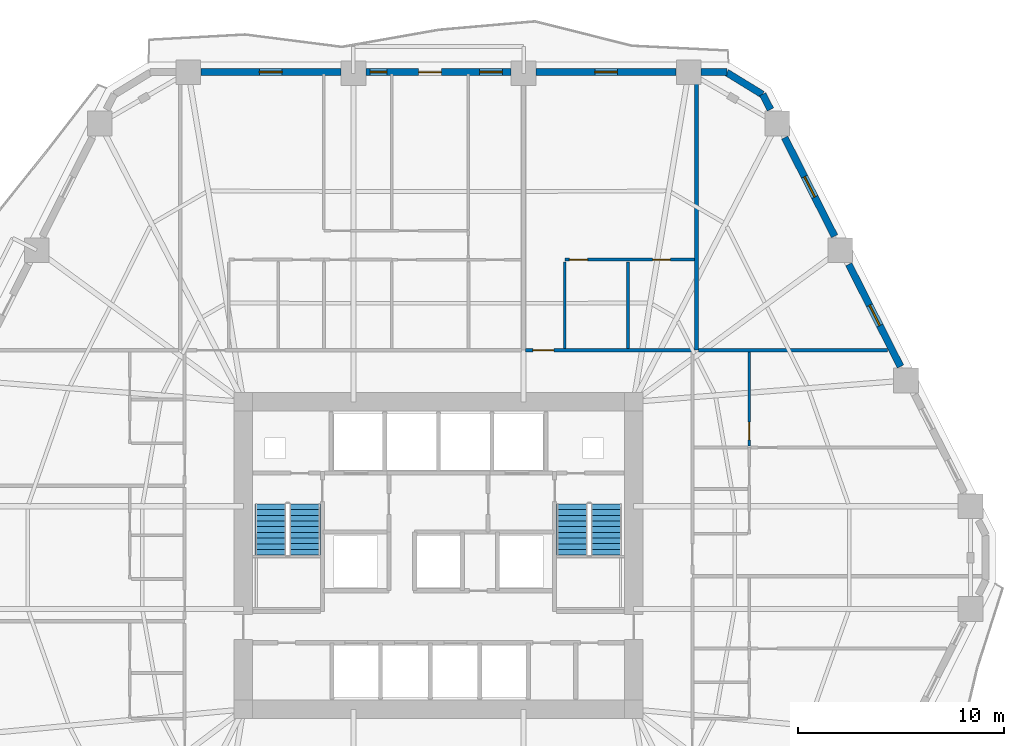
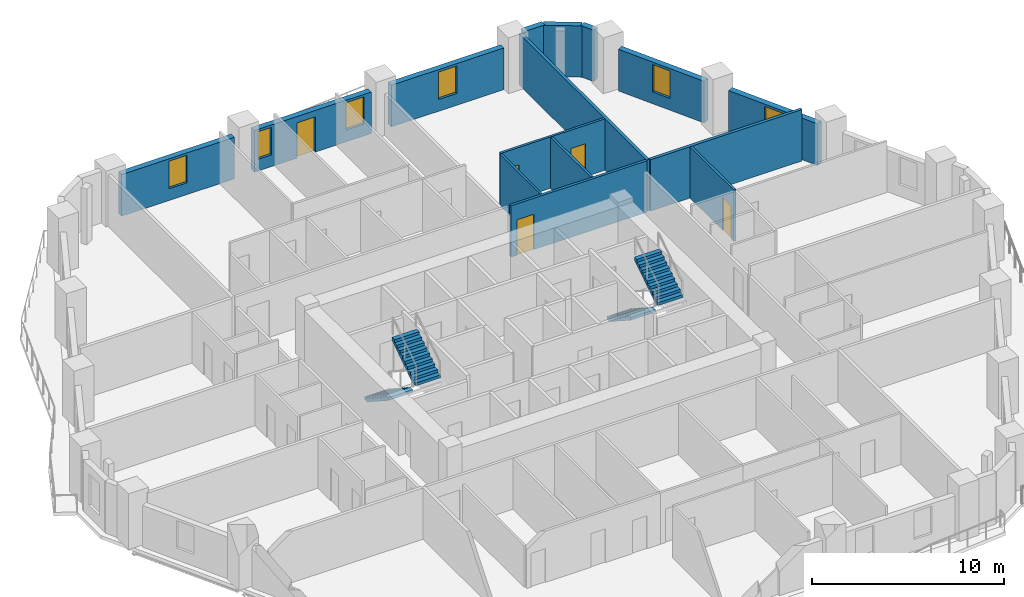
# One storey, part 8 of 12: 15 walls, 6 windows, 5 doors, 4 stair flights, 11 openings, 2 elements without a shape of their own.
"""IFC4 building model written with IfcOpenShell, lengths in metres."""

from ifc_helpers import new_model, si_unit, direction, frame, frame_2d, origin, place, context, subcontext, project, spatial, polyline, rectangle, outline, extrude, material, layer, layer_set, type_object, element, fill, aggregate, save


model = new_model("IFC4")

# Units and contexts
model_context = context("Model", 3, precision=1e-05, world=origin(), true_north=direction((0.0, 1.0)))
body_context = subcontext(model_context, "Body", "Model", "MODEL_VIEW")
ifc_project = project(units=[si_unit("LENGTHUNIT", "METRE"), si_unit("AREAUNIT", "SQUARE_METRE"), si_unit("VOLUMEUNIT", "CUBIC_METRE"), si_unit("PLANEANGLEUNIT", "RADIAN"), si_unit("MASSUNIT", "GRAM", prefix="KILO")], contexts=[model_context])

# Site, building, storey
site_placement = place(None, origin())
site = spatial("IfcSite", under=ifc_project, at=site_placement, CompositionType="ELEMENT")
building_placement = place(site_placement, origin())
building = spatial("IfcBuilding", under=site, at=building_placement, Name="Cinnabar Lancet Tower", CompositionType="ELEMENT")
storey_placement = place(building_placement, frame((0.0, 0.0, 71.050048828125)))
storey = spatial("IfcBuildingStorey", under=building, at=storey_placement, Name="L18", CompositionType="ELEMENT", Elevation=71.050048828125)

# Wall, opening, door
ifc_material_1 = material(Name="Acoustic twin-stud gypsum partition", Category="gypsum")
ifc_layer_1 = layer(ifc_material_1, 0.159912109375)
ifc_layer_set_1 = layer_set([ifc_layer_1], Name="Acoustic twin-stud gypsum partition")
wall_type_1 = type_object("IfcWallType", Name="ARC-WL-CORR-160", PredefinedType="PARTITIONING", material=ifc_layer_set_1)
wall_1_placement = place(storey_placement, frame((36.616943359375, 35.85009765625, 0.0), z_axis=(0.0, 0.0, 1.0), x_axis=(1.0, 0.0, 0.0)))
wall_1 = element("IfcWall", 1, at=wall_1_placement, inside=storey, type_object=wall_type_1, Name="L18 Unit N02 Corridor Wall", PredefinedType="PARTITIONING", context=body_context, shape_type="SweptSolid", body=[
    extrude(rectangle(XDim=8.18798828125, YDim=0.159912109375, at=frame_2d((4.093994140625, 0.0))), origin(), (0.0, 0.0, 1.0), 3.27001953125),
])
opening_1_placement = place(wall_1_placement, frame((0.35498046875, 0.0, 0.0)))
opening_1 = element("IfcOpeningElement", 2, at=opening_1_placement, cuts=wall_1, Name="Opening UD-01", PredefinedType="OPENING", context=body_context, shape_type="SweptSolid", body=[
    extrude(rectangle(XDim=1.02001953125, YDim=2.25, at=frame_2d((0.510009765625, 1.125))), frame((0.0, 0.08984375, 0.0), z_axis=(0.0, -1.0, 0.0), x_axis=(1.0, 0.0, 0.0)), (0.0, 0.0, 1.0), 0.179931640625),
])
ifc_material_2 = material(Name="Solid timber fire-rated apartment entrance door", Category="wood")
door_type_1 = type_object("IfcDoorType", Name="ARC-DR-UNIT", OperationType="NOTDEFINED", PredefinedType="DOOR", material=ifc_material_2)
door_1_placement = place(opening_1_placement, origin())
door_1 = element("IfcDoor", 3, at=door_1_placement, inside=storey, type_object=door_type_1, Name="DR-L18-N02-ENT", OperationType="SINGLE_SWING_LEFT", OverallHeight=2.25, OverallWidth=1.02001953125, PredefinedType="DOOR", context=body_context, shape_type="SweptSolid", body=[
    extrude(rectangle(XDim=1.02001953125, YDim=2.25, at=frame_2d((0.510009765625, 1.125))), frame((0.0, 0.02490234375, 0.0), z_axis=(0.0, -1.0, 0.0), x_axis=(1.0, 0.0, 0.0)), (0.0, 0.0, 1.0), 0.050048828125),
])
fill(opening_1, door_1)

# Walls
ifc_material_3 = material(Name="Fire-rated twin-frame acoustic drywall", Category="gypsum")
ifc_layer_2 = layer(ifc_material_3, 0.179931640625)
ifc_layer_set_2 = layer_set([ifc_layer_2], Name="Fire-rated twin-frame acoustic drywall")
wall_type_2 = type_object("IfcWallType", Name="ARC-WL-PARTY-180", PredefinedType="PARTITIONING", material=ifc_layer_set_2)
wall_2_placement = place(storey_placement, frame((44.89990234375, 35.85009765625, 0.0), z_axis=(0.0, 0.0, 1.0), x_axis=(0.0, 1.0, 0.0)))
element("IfcWall", 4, at=wall_2_placement, inside=storey, type_object=wall_type_2, Name="PW-L18-NPTY-449", PredefinedType="PARTITIONING", context=body_context, shape_type="SweptSolid", body=[
    extrude(rectangle(XDim=13.294921875, YDim=0.179931640625, at=frame_2d((6.6474609375, 0.0))), origin(), (0.0, 0.0, 1.0), 3.27001953125),
])
wall_3_placement = place(storey_placement, frame((44.9951171875, 35.85009765625, 0.0), z_axis=(0.0, 0.0, 1.0), x_axis=(1.0, 0.0, 0.0)))
element("IfcWall", 5, at=wall_3_placement, inside=storey, type_object=wall_type_2, Name="PW-L18-ENB", PredefinedType="PARTITIONING", context=body_context, shape_type="SweptSolid", body=[
    extrude(rectangle(XDim=9.139892578125, YDim=0.179931640625, at=frame_2d((4.56982421875, 0.0))), origin(), (0.0, 0.0, 1.0), 3.27001953125),
])
ifc_material_4 = material(Name="Gypsum plasterboard stud partition", Category="gypsum")
ifc_layer_3 = layer(ifc_material_4, 0.125)
ifc_layer_set_3 = layer_set([ifc_layer_3], Name="Gypsum plasterboard stud partition")
wall_type_3 = type_object("IfcWallType", Name="ARC-WL-UNIT-125", PredefinedType="PARTITIONING", material=ifc_layer_set_3)
wall_4_placement = place(storey_placement, frame((38.52197265625, 35.93505859375, 0.0), z_axis=(0.0, 0.0, 1.0), x_axis=(0.0, 1.0, 0.0)))
element("IfcWall", 6, at=wall_4_placement, inside=storey, type_object=wall_type_3, Name="UW-L18-N02-FOYE", PredefinedType="PARTITIONING", context=body_context, shape_type="SweptSolid", body=[
    extrude(rectangle(XDim=4.197021484375, YDim=0.125, at=frame_2d((2.0986328125, 0.0))), origin(), (0.0, 0.0, 1.0), 3.27001953125),
])

# Wall, openings, doors
ifc_material_5 = material(Name="Moisture-resistant cement-board plumbing wall", Category="masonry")
ifc_layer_4 = layer(ifc_material_5, 0.139892578125)
ifc_layer_set_4 = layer_set([ifc_layer_4], Name="Moisture-resistant cement-board plumbing wall")
wall_type_4 = type_object("IfcWallType", Name="ARC-WL-WET-140", PredefinedType="PLUMBINGWALL", material=ifc_layer_set_4)
wall_5_placement = place(storey_placement, frame((38.52197265625, 40.237060546875, 0.0), z_axis=(0.0, 0.0, 1.0), x_axis=(1.0, 0.0, 0.0)))
wall_5 = element("IfcWall", 7, at=wall_5_placement, inside=storey, type_object=wall_type_4, Name="UW-L18-N02-SPL", PredefinedType="PLUMBINGWALL", context=body_context, shape_type="SweptSolid", body=[
    extrude(rectangle(XDim=6.282958984375, YDim=0.139892578125, at=frame_2d((3.1416015625, 0.0))), origin(), (0.0, 0.0, 1.0), 3.27001953125),
])
opening_2_placement = place(wall_5_placement, frame((4.2470703125, 0.0, 0.0)))
opening_2 = element("IfcOpeningElement", 8, at=opening_2_placement, cuts=wall_5, Name="Opening BD-01", PredefinedType="OPENING", context=body_context, shape_type="SweptSolid", body=[
    extrude(rectangle(XDim=0.860107421875, YDim=2.10009765625, at=frame_2d((0.43017578125, 1.050048828125))), frame((0.0, 0.079833984375, 0.0), z_axis=(0.0, -1.0, 0.0), x_axis=(1.0, 0.0, 0.0)), (0.0, 0.0, 1.0), 0.159912109375),
])
opening_3_placement = place(wall_5_placement, frame((0.219970703125, 0.0, 0.0)))
opening_3 = element("IfcOpeningElement", 9, at=opening_3_placement, cuts=wall_5, Name="Opening RD-02", PredefinedType="OPENING", context=body_context, shape_type="SweptSolid", body=[
    extrude(rectangle(XDim=0.8798828125, YDim=2.14990234375, at=frame_2d((0.43994140625, 1.074951171875))), frame((0.0, 0.079833984375, 0.0), z_axis=(0.0, -1.0, 0.0), x_axis=(1.0, 0.0, 0.0)), (0.0, 0.0, 1.0), 0.159912109375),
])
ifc_material_6 = material(Name="Moisture-resistant timber bathroom door", Category="wood")
door_type_2 = type_object("IfcDoorType", Name="ARC-DR-BATH", OperationType="NOTDEFINED", PredefinedType="DOOR", material=ifc_material_6)
door_2_placement = place(opening_2_placement, origin())
door_2 = element("IfcDoor", 10, at=door_2_placement, inside=storey, type_object=door_type_2, Name="DR-L18-N02-BTH", OperationType="SINGLE_SWING_LEFT", OverallHeight=2.10009765625, OverallWidth=0.860107421875, PredefinedType="DOOR", context=body_context, shape_type="SweptSolid", body=[
    extrude(rectangle(XDim=0.860107421875, YDim=2.10009765625, at=frame_2d((0.43017578125, 1.050048828125))), frame((0.0, 0.02490234375, 0.0), z_axis=(0.0, -1.0, 0.0), x_axis=(1.0, 0.0, 0.0)), (0.0, 0.0, 1.0), 0.050048828125),
])
fill(opening_2, door_2)
ifc_material_7 = material(Name="Engineered timber study door", Category="wood")
door_type_3 = type_object("IfcDoorType", Name="ARC-DR-STUDY", OperationType="NOTDEFINED", PredefinedType="DOOR", material=ifc_material_7)
door_3_placement = place(opening_3_placement, origin())
door_3 = element("IfcDoor", 11, at=door_3_placement, inside=storey, type_object=door_type_3, Name="DR-L18-N02-KIT", OperationType="SINGLE_SWING_RIGHT", OverallHeight=2.14990234375, OverallWidth=0.8798828125, PredefinedType="DOOR", context=body_context, shape_type="SweptSolid", body=[
    extrude(rectangle(XDim=0.8798828125, YDim=2.14990234375, at=frame_2d((0.43994140625, 1.074951171875))), frame((0.0, 0.02490234375, 0.0), z_axis=(0.0, -1.0, 0.0), x_axis=(1.0, 0.0, 0.0)), (0.0, 0.0, 1.0), 0.050048828125),
])
fill(opening_3, door_3)

# Wall
wall_6_placement = place(storey_placement, frame((41.5830078125, 35.93505859375, 0.0), z_axis=(0.0, 0.0, 1.0), x_axis=(0.0, 1.0, 0.0)))
element("IfcWall", 12, at=wall_6_placement, inside=storey, type_object=wall_type_4, Name="UW-L18-N02-KDV", PredefinedType="PLUMBINGWALL", context=body_context, shape_type="SweptSolid", body=[
    extrude(rectangle(XDim=4.197021484375, YDim=0.139892578125, at=frame_2d((2.0986328125, 0.0))), origin(), (0.0, 0.0, 1.0), 3.27001953125),
])

# Wall, opening, door
wall_7_placement = place(storey_placement, frame((47.449951171875, 31.20703125, 0.0), z_axis=(0.0, 0.0, 1.0), x_axis=(0.0, 1.0, 0.0)))
wall_7 = element("IfcWall", 13, at=wall_7_placement, inside=storey, type_object=wall_type_4, Name="UW-L18-E02-SPM", PredefinedType="PLUMBINGWALL", context=body_context, shape_type="SweptSolid", body=[
    extrude(rectangle(XDim=4.5478515625, YDim=0.139892578125, at=frame_2d((2.27392578125, 0.0))), origin(), (0.0, 0.0, 1.0), 3.27001953125),
])
opening_4_placement = place(wall_7_placement, frame((0.300048828125, 0.0, 0.0)))
opening_4 = element("IfcOpeningElement", 14, at=opening_4_placement, cuts=wall_7, Name="Opening BD-01", PredefinedType="OPENING", context=body_context, shape_type="SweptSolid", body=[
    extrude(rectangle(XDim=0.860107421875, YDim=2.10009765625, at=frame_2d((0.43017578125, 1.050048828125))), frame((0.0, 0.079833984375, 0.0), z_axis=(0.0, -1.0, 0.0), x_axis=(1.0, 0.0, 0.0)), (0.0, 0.0, 1.0), 0.159912109375),
])
door_4_placement = place(opening_4_placement, origin())
door_4 = element("IfcDoor", 15, at=door_4_placement, inside=storey, type_object=door_type_2, Name="DR-L18-E02-ENS", OperationType="SINGLE_SWING_LEFT", OverallHeight=2.10009765625, OverallWidth=0.860107421875, PredefinedType="DOOR", context=body_context, shape_type="SweptSolid", body=[
    extrude(rectangle(XDim=0.860107421875, YDim=2.10009765625, at=frame_2d((0.43017578125, 1.050048828125))), frame((0.0, 0.02490234375, 0.0), z_axis=(0.0, -1.0, 0.0), x_axis=(1.0, 0.0, 0.0)), (0.0, 0.0, 1.0), 0.050048828125),
])
fill(opening_4, door_4)

# Wall
ifc_material_8 = material(Name="Cinnabar red clay brick", Category="masonry")
ifc_layer_5 = layer(ifc_material_8, 0.340087890625)
ifc_layer_set_5 = layer_set([ifc_layer_5], Name="Cinnabar red clay brick")
wall_type_5 = type_object("IfcWallType", Name="ENV-WL-BRK-RED-340", PredefinedType="STANDARD", material=ifc_layer_set_5)
wall_8_placement = place(storey_placement, frame((48.080078125, 48.238037109375, 0.0), z_axis=(0.0, 0.0, 1.0), x_axis=(-0.851870104345, 0.523753114857, 0.0)))
element("IfcWall", 16, at=wall_8_placement, inside=storey, type_object=wall_type_5, Name="L18 Chamfered Corner Brick Pier 4.1", PredefinedType="STANDARD", context=body_context, shape_type="SweptSolid", body=[
    extrude(rectangle(XDim=2.017822265625, YDim=0.340087890625, at=frame_2d((1.0087890625, 0.0))), origin(), (0.0, 0.0, 1.0), 3.27001953125),
])

# Wall, opening, window
wall_9_placement = place(storey_placement, frame((54.77587890625, 35.06103515625, 0.0), z_axis=(0.0, 0.0, 1.0), x_axis=(-0.451592100298, 0.892224509273, 0.0)))
wall_9 = element("IfcWall", 17, at=wall_9_placement, inside=storey, type_object=wall_type_5, Name="L18 Face 3 Masonry Bay Wall 3", PredefinedType="STANDARD", context=body_context, shape_type="SweptSolid", body=[
    extrude(rectangle(XDim=5.546875, YDim=0.340087890625, at=frame_2d((2.7734375, 0.0))), origin(), (0.0, 0.0, 1.0), 2.65185546875),
])
opening_5_placement = place(wall_9_placement, frame((2.222900390625, 0.0, 0.75)))
opening_5 = element("IfcOpeningElement", 18, at=opening_5_placement, cuts=wall_9, Name="Opening WN-04", PredefinedType="OPENING", context=body_context, shape_type="SweptSolid", body=[
    extrude(rectangle(XDim=1.10009765625, YDim=1.751953125, at=frame_2d((0.550048828125, 0.8759765625))), frame((0.0, 0.179931640625, 0.0), z_axis=(0.0, -1.0, 0.0), x_axis=(1.0, 0.0, 0.0)), (0.0, 0.0, 1.0), 0.360107421875),
])
ifc_material_9 = material(Name="Thermally broken bronze-anodized aluminium tall lancet window", Category="aluminium")
window_type = type_object("IfcWindowType", Name="ENV-WN-LANCET-1100", PartitioningType="SINGLE_PANEL", PredefinedType="WINDOW", material=ifc_material_9)
window_1_placement = place(opening_5_placement, origin())
window_1 = element("IfcWindow", 19, at=window_1_placement, inside=storey, type_object=window_type, Name="L18 Face 3 Gothic Lancet Window 3", OverallHeight=1.751953125, OverallWidth=1.10009765625, PartitioningType="SINGLE_PANEL", PredefinedType="WINDOW", context=body_context, shape_type="SweptSolid", body=[
    extrude(rectangle(XDim=1.10009765625, YDim=1.751953125, at=frame_2d((0.550048828125, 0.8759765625))), frame((0.0, 0.030029296875, 0.0), z_axis=(0.0, -1.0, 0.0), x_axis=(1.0, 0.0, 0.0)), (0.0, 0.0, 1.0), 0.06005859375),
])
fill(opening_5, window_1)

wall_10_placement = place(storey_placement, frame((51.5830078125, 41.3720703125, 0.0), z_axis=(0.0, 0.0, 1.0), x_axis=(-0.451697561555, 0.892171123095, 0.0)))
wall_10 = element("IfcWall", 20, at=wall_10_placement, inside=storey, type_object=wall_type_5, Name="L18 Face 3 Masonry Bay Wall 4", PredefinedType="STANDARD", context=body_context, shape_type="SweptSolid", body=[
    extrude(rectangle(XDim=5.350830078125, YDim=0.340087890625, at=frame_2d((2.67529296875, 0.0))), origin(), (0.0, 0.0, 1.0), 2.65185546875),
])
opening_6_placement = place(wall_10_placement, frame((2.125, 0.0, 0.75)))
opening_6 = element("IfcOpeningElement", 21, at=opening_6_placement, cuts=wall_10, Name="Opening WN-04", PredefinedType="OPENING", context=body_context, shape_type="SweptSolid", body=[
    extrude(rectangle(XDim=1.10009765625, YDim=1.751953125, at=frame_2d((0.550048828125, 0.8759765625))), frame((0.0, 0.179931640625, 0.0), z_axis=(0.0, -1.0, 0.0), x_axis=(1.0, 0.0, 0.0)), (0.0, 0.0, 1.0), 0.360107421875),
])
window_2_placement = place(opening_6_placement, origin())
window_2 = element("IfcWindow", 22, at=window_2_placement, inside=storey, type_object=window_type, Name="L18 Face 3 Gothic Lancet Window 4", OverallHeight=1.751953125, OverallWidth=1.10009765625, PartitioningType="SINGLE_PANEL", PredefinedType="WINDOW", context=body_context, shape_type="SweptSolid", body=[
    extrude(rectangle(XDim=1.10009765625, YDim=1.751953125, at=frame_2d((0.550048828125, 0.8759765625))), frame((0.0, 0.030029296875, 0.0), z_axis=(0.0, -1.0, 0.0), x_axis=(1.0, 0.0, 0.0)), (0.0, 0.0, 1.0), 0.06005859375),
])
fill(opening_6, window_2)

# Walls
wall_11_placement = place(storey_placement, frame((48.47802734375, 47.508056640625, 0.0), z_axis=(0.0, 0.0, 1.0), x_axis=(-0.451995771866, 0.892020079491, 0.0)))
element("IfcWall", 23, at=wall_11_placement, inside=storey, type_object=wall_type_5, Name="L18 Face 3 Masonry Bay Wall 5", PredefinedType="STANDARD", context=body_context, shape_type="SweptSolid", body=[
    extrude(rectangle(XDim=0.836181640625, YDim=0.340087890625, at=frame_2d((0.41796875, 0.0))), origin(), (0.0, 0.0, 1.0), 3.27001953125),
])
wall_12_placement = place(storey_placement, frame((46.365966796875, 49.320068359375, 0.0), z_axis=(0.0, 0.0, 1.0), x_axis=(-1.0, 0.0, 0.0)))
element("IfcWall", 24, at=wall_12_placement, inside=storey, type_object=wall_type_5, Name="L18 Face 4 Masonry Bay Wall 1", PredefinedType="STANDARD", context=body_context, shape_type="SweptSolid", body=[
    extrude(rectangle(XDim=1.244873046875, YDim=0.340087890625, at=frame_2d((0.62255859375, 0.0))), origin(), (0.0, 0.0, 1.0), 3.27001953125),
])

# Wall, opening, window
wall_13_placement = place(storey_placement, frame((43.9130859375, 49.320068359375, 0.0), z_axis=(0.0, 0.0, 1.0), x_axis=(-1.0, 0.0, 0.0)))
wall_13 = element("IfcWall", 25, at=wall_13_placement, inside=storey, type_object=wall_type_5, Name="L18 Face 4 Masonry Bay Wall 2", PredefinedType="STANDARD", context=body_context, shape_type="SweptSolid", body=[
    extrude(rectangle(XDim=6.787109375, YDim=0.340087890625, at=frame_2d((3.3935546875, 0.0))), origin(), (0.0, 0.0, 1.0), 2.65185546875),
])
opening_7_placement = place(wall_13_placement, frame((2.843017578125, 0.0, 0.75)))
opening_7 = element("IfcOpeningElement", 26, at=opening_7_placement, cuts=wall_13, Name="Opening WN-04", PredefinedType="OPENING", context=body_context, shape_type="SweptSolid", body=[
    extrude(rectangle(XDim=1.10009765625, YDim=1.751953125, at=frame_2d((0.550048828125, 0.8759765625))), frame((0.0, 0.179931640625, 0.0), z_axis=(0.0, -1.0, 0.0), x_axis=(1.0, 0.0, 0.0)), (0.0, 0.0, 1.0), 0.360107421875),
])
window_3_placement = place(opening_7_placement, origin())
window_3 = element("IfcWindow", 27, at=window_3_placement, inside=storey, type_object=window_type, Name="L18 Face 4 Gothic Lancet Window 2", OverallHeight=1.751953125, OverallWidth=1.10009765625, PartitioningType="SINGLE_PANEL", PredefinedType="WINDOW", context=body_context, shape_type="SweptSolid", body=[
    extrude(rectangle(XDim=1.10009765625, YDim=1.751953125, at=frame_2d((0.550048828125, 0.8759765625))), frame((0.0, 0.030029296875, 0.0), z_axis=(0.0, -1.0, 0.0), x_axis=(1.0, 0.0, 0.0)), (0.0, 0.0, 1.0), 0.06005859375),
])
fill(opening_7, window_3)

# Wall, openings, door, windows
wall_14_placement = place(storey_placement, frame((35.91796875, 49.320068359375, 0.0), z_axis=(0.0, 0.0, 1.0), x_axis=(-1.0, 0.0, 0.0)))
wall_14 = element("IfcWall", 28, at=wall_14_placement, inside=storey, type_object=wall_type_5, Name="L18 Face 4 Masonry Bay Wall 3", PredefinedType="STANDARD", context=body_context, shape_type="SweptSolid", body=[
    extrude(rectangle(XDim=7.035888671875, YDim=0.340087890625, at=frame_2d((3.51806640625, 0.0))), origin(), (0.0, 0.0, 1.0), 2.65185546875),
])
opening_8_placement = place(wall_14_placement, frame((3.3740234375, 0.0, 0.0)))
opening_8 = element("IfcOpeningElement", 29, at=opening_8_placement, cuts=wall_14, Name="Opening TD-01", PredefinedType="OPENING", context=body_context, shape_type="SweptSolid", body=[
    extrude(rectangle(XDim=1.10009765625, YDim=2.25, at=frame_2d((0.550048828125, 1.125))), frame((0.0, 0.179931640625, 0.0), z_axis=(0.0, -1.0, 0.0), x_axis=(1.0, 0.0, 0.0)), (0.0, 0.0, 1.0), 0.360107421875),
])
opening_9_placement = place(wall_14_placement, frame((0.427978515625, 0.0, 0.75)))
opening_9 = element("IfcOpeningElement", 30, at=opening_9_placement, cuts=wall_14, Name="Opening WN-04", PredefinedType="OPENING", context=body_context, shape_type="SweptSolid", body=[
    extrude(rectangle(XDim=1.10009765625, YDim=1.751953125, at=frame_2d((0.550048828125, 0.8759765625))), frame((0.0, 0.179931640625, 0.0), z_axis=(0.0, -1.0, 0.0), x_axis=(1.0, 0.0, 0.0)), (0.0, 0.0, 1.0), 0.360107421875),
])
opening_10_placement = place(wall_14_placement, frame((6.012939453125, 0.0, 0.75)))
opening_10 = element("IfcOpeningElement", 31, at=opening_10_placement, cuts=wall_14, Name="Opening WN-04", PredefinedType="OPENING", context=body_context, shape_type="SweptSolid", body=[
    extrude(rectangle(XDim=0.81298828125, YDim=1.751953125, at=frame_2d((0.406494140625, 0.8759765625))), frame((0.0, 0.179931640625, 0.0), z_axis=(0.0, -1.0, 0.0), x_axis=(1.0, 0.0, 0.0)), (0.0, 0.0, 1.0), 0.360107421875),
])
ifc_material_10 = material(Name="Thermally broken low-E glazed balcony terrace door", Category="wood")
door_type_4 = type_object("IfcDoorType", Name="ARC-DR-BALC", OperationType="NOTDEFINED", PredefinedType="DOOR", material=ifc_material_10)
door_5_placement = place(opening_8_placement, origin())
door_5 = element("IfcDoor", 32, at=door_5_placement, inside=storey, type_object=door_type_4, Name="L18 Face 4 Glazed Terrace Door", OperationType="SINGLE_SWING_LEFT", OverallHeight=2.25, OverallWidth=1.10009765625, PredefinedType="DOOR", context=body_context, shape_type="SweptSolid", body=[
    extrude(rectangle(XDim=1.10009765625, YDim=2.25, at=frame_2d((0.550048828125, 1.125))), frame((0.0, 0.02490234375, 0.0), z_axis=(0.0, -1.0, 0.0), x_axis=(1.0, 0.0, 0.0)), (0.0, 0.0, 1.0), 0.050048828125),
])
fill(opening_8, door_5)
window_4_placement = place(opening_9_placement, origin())
window_4 = element("IfcWindow", 33, at=window_4_placement, inside=storey, type_object=window_type, Name="L18 Split-Bay Gothic Lancet Window 49", OverallHeight=1.751953125, OverallWidth=1.10009765625, PartitioningType="SINGLE_PANEL", PredefinedType="WINDOW", context=body_context, shape_type="SweptSolid", body=[
    extrude(rectangle(XDim=1.10009765625, YDim=1.751953125, at=frame_2d((0.550048828125, 0.8759765625))), frame((0.0, 0.030029296875, 0.0), z_axis=(0.0, -1.0, 0.0), x_axis=(1.0, 0.0, 0.0)), (0.0, 0.0, 1.0), 0.06005859375),
])
fill(opening_9, window_4)
window_5_placement = place(opening_10_placement, origin())
window_5 = element("IfcWindow", 34, at=window_5_placement, inside=storey, type_object=window_type, Name="L18 Dwelling Gothic Lancet Window 310", OverallHeight=1.751953125, OverallWidth=0.81298828125, PartitioningType="SINGLE_PANEL", PredefinedType="WINDOW", context=body_context, shape_type="SweptSolid", body=[
    extrude(rectangle(XDim=0.81298828125, YDim=1.751953125, at=frame_2d((0.406494140625, 0.8759765625))), frame((0.0, 0.030029296875, 0.0), z_axis=(0.0, -1.0, 0.0), x_axis=(1.0, 0.0, 0.0)), (0.0, 0.0, 1.0), 0.06005859375),
])
fill(opening_10, window_5)

# Wall, opening, window
wall_15_placement = place(storey_placement, frame((27.674072265625, 49.320068359375, 0.0), z_axis=(0.0, 0.0, 1.0), x_axis=(-1.0, 0.0, 0.0)))
wall_15 = element("IfcWall", 35, at=wall_15_placement, inside=storey, type_object=wall_type_5, Name="L18 Face 4 Masonry Bay Wall 4", PredefinedType="STANDARD", context=body_context, shape_type="SweptSolid", body=[
    extrude(rectangle(XDim=6.787109375, YDim=0.340087890625, at=frame_2d((3.3935546875, 0.0))), origin(), (0.0, 0.0, 1.0), 2.65185546875),
])
opening_11_placement = place(wall_15_placement, frame((2.843017578125, 0.0, 0.75)))
opening_11 = element("IfcOpeningElement", 36, at=opening_11_placement, cuts=wall_15, Name="Opening WN-04", PredefinedType="OPENING", context=body_context, shape_type="SweptSolid", body=[
    extrude(rectangle(XDim=1.10009765625, YDim=1.751953125, at=frame_2d((0.550048828125, 0.8759765625))), frame((0.0, 0.179931640625, 0.0), z_axis=(0.0, -1.0, 0.0), x_axis=(1.0, 0.0, 0.0)), (0.0, 0.0, 1.0), 0.360107421875),
])
window_6_placement = place(opening_11_placement, origin())
window_6 = element("IfcWindow", 37, at=window_6_placement, inside=storey, type_object=window_type, Name="L18 Face 4 Gothic Lancet Window 4", OverallHeight=1.751953125, OverallWidth=1.10009765625, PartitioningType="SINGLE_PANEL", PredefinedType="WINDOW", context=body_context, shape_type="SweptSolid", body=[
    extrude(rectangle(XDim=1.10009765625, YDim=1.751953125, at=frame_2d((0.550048828125, 0.8759765625))), frame((0.0, 0.030029296875, 0.0), z_axis=(0.0, -1.0, 0.0), x_axis=(1.0, 0.0, 0.0)), (0.0, 0.0, 1.0), 0.06005859375),
])
fill(opening_11, window_6)

# Stair, stair flights
ifc_material_11 = material(Name="Concrete C40/50", Category="concrete")
stair_type = type_object("IfcStairType", Name="ST-CORE", PredefinedType="HALF_TURN_STAIR", material=ifc_material_11)
stair_1_placement = place(storey_placement, origin())
stair_1 = element("IfcStair", 38, at=stair_1_placement, inside=storey, type_object=stair_type, Name="L18 ST-1", PredefinedType="HALF_TURN_STAIR")
ifc_material_12 = material(Name="Concrete C40/50", Category="concrete")
stair_flight_type = type_object("IfcStairFlightType", Name="FLIGHT-CORE", PredefinedType="STRAIGHT", material=ifc_material_12)
stair_flight_1_placement = place(storey_placement, frame((24.27490234375, 28.39990234375, 0.0), z_axis=(0.0, 0.0, 1.0), x_axis=(0.0, -1.0, 0.0)))
stair_flight_1 = element("IfcStairFlight", 39, at=stair_flight_1_placement, type_object=stair_flight_type, Name="ST-1 flight 1", NumberOfRisers=10, NumberOfTreads=9, PredefinedType="STRAIGHT", RiserHeight=0.1775, TreadLength=0.275, context=body_context, shape_type="SweptSolid", body=[
    extrude(outline(polyline([(0.0, 0.0), (0.0, 0.177490234375), (0.27490234375, 0.177490234375), (0.27490234375, 0.35498046875), (0.550048828125, 0.35498046875), (0.550048828125, 0.532470703125), (0.824951171875, 0.532470703125), (0.824951171875, 0.7099609375), (1.10009765625, 0.7099609375), (1.10009765625, 0.887451171875), (1.375, 0.887451171875), (1.375, 1.06494140625), (1.64990234375, 1.06494140625), (1.64990234375, 1.242431640625), (1.925048828125, 1.242431640625), (1.925048828125, 1.419921875), (2.199951171875, 1.419921875), (2.199951171875, 1.597412109375), (2.47509765625, 1.597412109375), (2.47509765625, 1.77490234375), (2.47509765625, 1.419189453125), (0.2763671875, 0.0), (0.0, 0.0)])), frame((0.0, 0.75, 0.0), z_axis=(0.0, -1.0, 0.0), x_axis=(1.0, 0.0, 0.0)), (0.0, 0.0, 1.0), 1.5),
])
stair_flight_2_placement = place(storey_placement, frame((25.925048828125, 25.925048828125, 1.77490234375), z_axis=(0.0, 0.0, 1.0), x_axis=(0.0, 1.0, 0.0)))
stair_flight_2 = element("IfcStairFlight", 40, at=stair_flight_2_placement, type_object=stair_flight_type, Name="ST-1 flight 2", NumberOfRisers=10, NumberOfTreads=9, PredefinedType="STRAIGHT", RiserHeight=0.1775, TreadLength=0.275, context=body_context, shape_type="SweptSolid", body=[
    extrude(outline(polyline([(0.0, 0.0), (0.0, 0.177490234375), (0.27490234375, 0.177490234375), (0.27490234375, 0.35498046875), (0.550048828125, 0.35498046875), (0.550048828125, 0.532470703125), (0.824951171875, 0.532470703125), (0.824951171875, 0.7099609375), (1.10009765625, 0.7099609375), (1.10009765625, 0.887451171875), (1.375, 0.887451171875), (1.375, 1.06494140625), (1.64990234375, 1.06494140625), (1.64990234375, 1.242431640625), (1.925048828125, 1.242431640625), (1.925048828125, 1.419921875), (2.199951171875, 1.419921875), (2.199951171875, 1.597412109375), (2.47509765625, 1.597412109375), (2.47509765625, 1.77490234375), (2.47509765625, 1.419189453125), (0.2763671875, 0.0), (0.0, 0.0)])), frame((0.0, 0.75, 0.0), z_axis=(0.0, -1.0, 0.0), x_axis=(1.0, 0.0, 0.0)), (0.0, 0.0, 1.0), 1.5),
])
aggregate(stair_1, [stair_flight_1, stair_flight_2])

stair_2_placement = place(storey_placement, origin())
stair_2 = element("IfcStair", 41, at=stair_2_placement, inside=storey, type_object=stair_type, Name="L18 ST-2", PredefinedType="HALF_TURN_STAIR")
stair_flight_3_placement = place(storey_placement, frame((38.875, 28.39990234375, 0.0), z_axis=(0.0, 0.0, 1.0), x_axis=(0.0, -1.0, 0.0)))
stair_flight_3 = element("IfcStairFlight", 42, at=stair_flight_3_placement, type_object=stair_flight_type, Name="ST-2 flight 1", NumberOfRisers=10, NumberOfTreads=9, PredefinedType="STRAIGHT", RiserHeight=0.1775, TreadLength=0.275, context=body_context, shape_type="SweptSolid", body=[
    extrude(outline(polyline([(0.0, 0.0), (0.0, 0.177490234375), (0.27490234375, 0.177490234375), (0.27490234375, 0.35498046875), (0.550048828125, 0.35498046875), (0.550048828125, 0.532470703125), (0.824951171875, 0.532470703125), (0.824951171875, 0.7099609375), (1.10009765625, 0.7099609375), (1.10009765625, 0.887451171875), (1.375, 0.887451171875), (1.375, 1.06494140625), (1.64990234375, 1.06494140625), (1.64990234375, 1.242431640625), (1.925048828125, 1.242431640625), (1.925048828125, 1.419921875), (2.199951171875, 1.419921875), (2.199951171875, 1.597412109375), (2.47509765625, 1.597412109375), (2.47509765625, 1.77490234375), (2.47509765625, 1.419189453125), (0.2763671875, 0.0), (0.0, 0.0)])), frame((0.0, 0.75, 0.0), z_axis=(0.0, -1.0, 0.0), x_axis=(1.0, 0.0, 0.0)), (0.0, 0.0, 1.0), 1.5),
])
stair_flight_4_placement = place(storey_placement, frame((40.52490234375, 25.925048828125, 1.77490234375), z_axis=(0.0, 0.0, 1.0), x_axis=(0.0, 1.0, 0.0)))
stair_flight_4 = element("IfcStairFlight", 43, at=stair_flight_4_placement, type_object=stair_flight_type, Name="ST-2 flight 2", NumberOfRisers=10, NumberOfTreads=9, PredefinedType="STRAIGHT", RiserHeight=0.1775, TreadLength=0.275, context=body_context, shape_type="SweptSolid", body=[
    extrude(outline(polyline([(0.0, 0.0), (0.0, 0.177490234375), (0.27490234375, 0.177490234375), (0.27490234375, 0.35498046875), (0.550048828125, 0.35498046875), (0.550048828125, 0.532470703125), (0.824951171875, 0.532470703125), (0.824951171875, 0.7099609375), (1.10009765625, 0.7099609375), (1.10009765625, 0.887451171875), (1.375, 0.887451171875), (1.375, 1.06494140625), (1.64990234375, 1.06494140625), (1.64990234375, 1.242431640625), (1.925048828125, 1.242431640625), (1.925048828125, 1.419921875), (2.199951171875, 1.419921875), (2.199951171875, 1.597412109375), (2.47509765625, 1.597412109375), (2.47509765625, 1.77490234375), (2.47509765625, 1.419189453125), (0.2763671875, 0.0), (0.0, 0.0)])), frame((0.0, 0.75, 0.0), z_axis=(0.0, -1.0, 0.0), x_axis=(1.0, 0.0, 0.0)), (0.0, 0.0, 1.0), 1.5),
])
aggregate(stair_2, [stair_flight_3, stair_flight_4])

save(model, "model.ifc")
